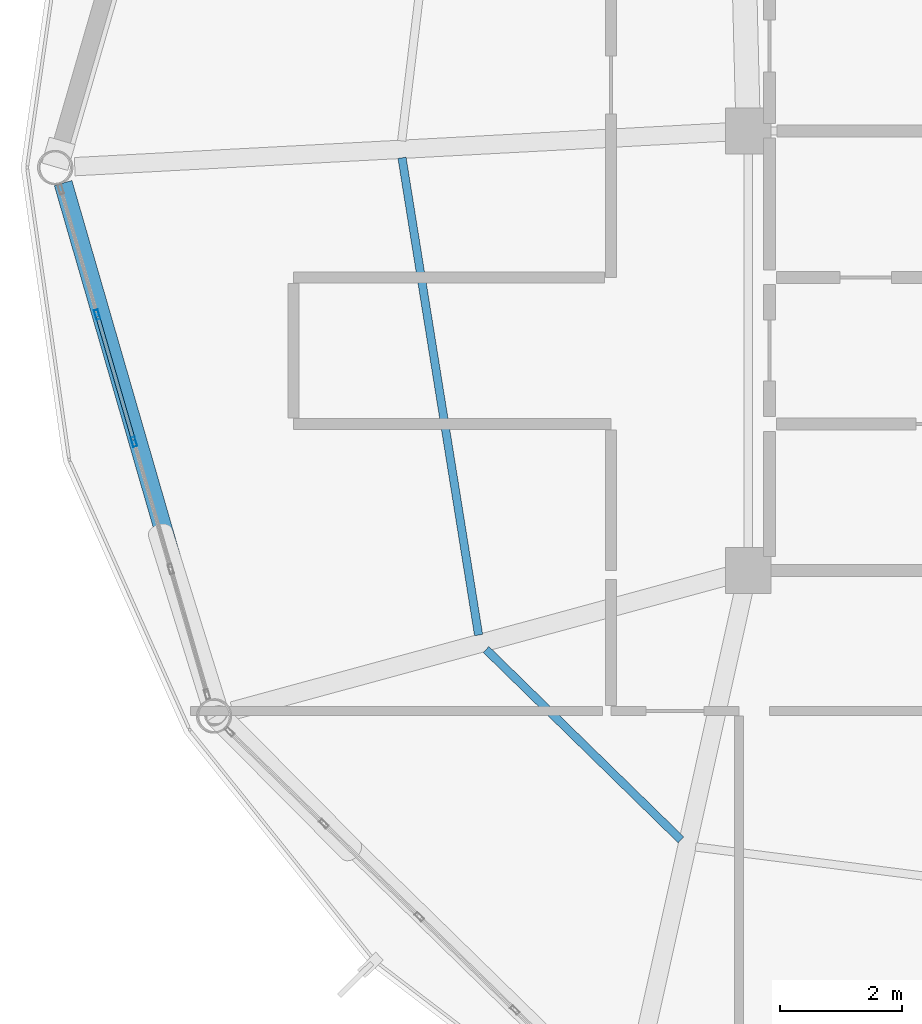
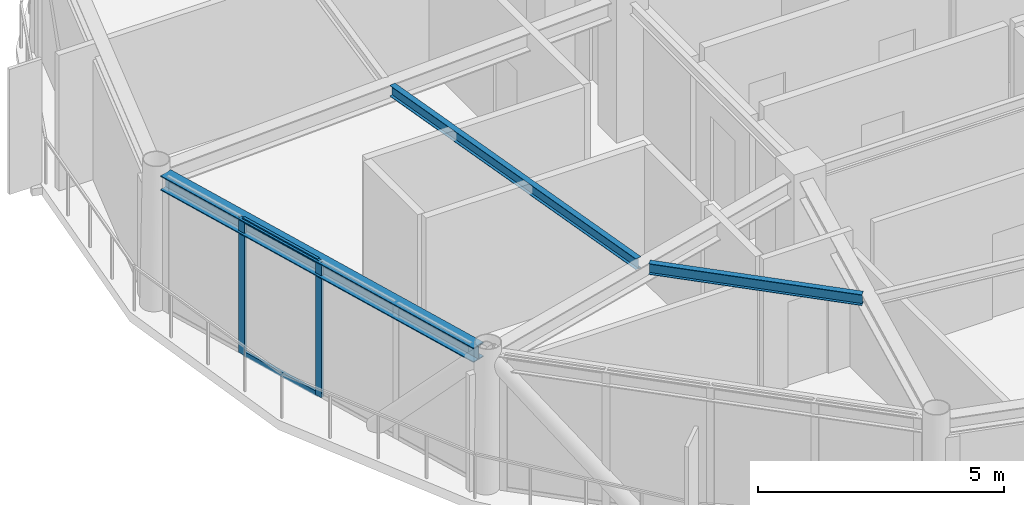
# One storey, part 5 of 27: 4 members, 3 beams, 1 element without a shape of its own.
"""IFC4 building model written with IfcOpenShell, lengths in metres."""

from ifc_helpers import new_model, si_unit, direction, frame, origin, origin_2d, place, context, subcontext, project, spatial, hollow_rectangle, i_section, extrude, material, layer, layer_set, material_profile, profile_set, type_object, element, aggregate, save


model = new_model("IFC4")

# Units and contexts
model_context = context("Model", 3, precision=1e-05, world=origin(), true_north=direction((0.0, 1.0)))
body_context = subcontext(model_context, "Body", "Model", "MODEL_VIEW")
ifc_project = project(units=[si_unit("LENGTHUNIT", "METRE"), si_unit("AREAUNIT", "SQUARE_METRE"), si_unit("VOLUMEUNIT", "CUBIC_METRE"), si_unit("PLANEANGLEUNIT", "RADIAN"), si_unit("MASSUNIT", "GRAM", prefix="KILO")], contexts=[model_context])

# Site, building, storey
site_placement = place(None, origin())
site = spatial("IfcSite", under=ifc_project, at=site_placement, CompositionType="ELEMENT")
building_placement = place(site_placement, origin())
building = spatial("IfcBuilding", under=site, at=building_placement, Name="Varnakorn Sky Granary", CompositionType="ELEMENT")
storey_placement = place(building_placement, frame((0.0, 0.0, 245.39990234375)))
storey = spatial("IfcBuildingStorey", under=building, at=storey_placement, Name="L62", CompositionType="ELEMENT", Elevation=245.39990234375)

# Beams
ifc_material_1 = material(Name="Steel S355JR", Category="steel")
ifc_material_profile_1 = material_profile(ifc_material_1, i_section(OverallWidth=0.135009765625, OverallDepth=0.27001953125, WebThickness=0.006591796875, FlangeThickness=0.01025390625, at=origin_2d()), Name="IPE 270")
ifc_profile_set_1 = profile_set([ifc_material_profile_1], Name="Steel S355JR")
beam_type_1 = type_object("IfcBeamType", Name="BM-SEC-Z5", PredefinedType="BEAM", material=ifc_profile_set_1)
beam_1_placement = place(storey_placement, frame((-8.0205078125, 0.159423828125, 3.22509765625), z_axis=(0.158460703845, -0.987365284652, 0.0), x_axis=(0.987365284652, 0.158460703845, 0.0)))
element("IfcBeam", 1, at=beam_1_placement, inside=storey, type_object=beam_type_1, Name="Secondary Floor Chord Beam MSB07 L62", PredefinedType="BEAM", context=body_context, shape_type="SweptSolid", body=[
    extrude(i_section(OverallWidth=0.135009765625, OverallDepth=0.27001953125, WebThickness=0.006591796875, FlangeThickness=0.01025390625, at=origin_2d()), origin(), (0.0, 0.0, 1.0), 7.917724609375),
])
beam_2_placement = place(storey_placement, frame((-6.6435546875, -7.894287109375, 3.22509765625), z_axis=(0.715343121809, -0.698773366751, 0.0), x_axis=(0.698773366751, 0.715343121809, 0.0)))
element("IfcBeam", 2, at=beam_2_placement, inside=storey, type_object=beam_type_1, Name="Secondary Floor Chord Beam MSB08 L62", PredefinedType="BEAM", context=body_context, shape_type="SweptSolid", body=[
    extrude(i_section(OverallWidth=0.135009765625, OverallDepth=0.27001953125, WebThickness=0.006591796875, FlangeThickness=0.01025390625, at=origin_2d()), origin(), (0.0, 0.0, 1.0), 4.46435546875),
])
ifc_material_profile_2 = material_profile(ifc_material_1, i_section(OverallWidth=0.300048828125, OverallDepth=0.360107421875, WebThickness=0.012451171875, FlangeThickness=0.0224609375, at=origin_2d()), Name="HE 360 B")
ifc_profile_set_2 = profile_set([ifc_material_profile_2], Name="Steel S355JR")
beam_type_2 = type_object("IfcBeamType", Name="BM-SPD-Z5", PredefinedType="SPANDREL", material=ifc_profile_set_2)
beam_3_placement = place(storey_placement, frame((-13.571533203125, -0.254150390625, 3.18017578125), z_axis=(0.277912020953, -0.96060653163, 0.0), x_axis=(0.96060653163, 0.277912020953, 0.0)))
element("IfcBeam", 3, at=beam_3_placement, inside=storey, type_object=beam_type_2, Name="Perimeter Spandrel Ring Beam RB07 L62", PredefinedType="SPANDREL", context=body_context, shape_type="SweptSolid", body=[
    extrude(i_section(OverallWidth=0.300048828125, OverallDepth=0.360107421875, WebThickness=0.012451171875, FlangeThickness=0.0224609375, at=origin_2d()), origin(), (0.0, 0.0, 1.0), 8.8076171875),
])

# Curtain wall, members
ifc_material_2 = material(Name="Anodised Bronze Aluminium Alloy 6063-T6", Category="aluminium")
ifc_layer = layer(ifc_material_2, 0.159912109375, Name="Anodised Bronze Aluminium Alloy 6063-T6")
ifc_layer_set = layer_set([ifc_layer], Name="Anodised Bronze Aluminium Alloy 6063-T6")
curtain_wall_type = type_object("IfcCurtainWallType", Name="CW-OFF-1", PredefinedType="USERDEFINED", material=ifc_layer_set)
curtain_wall_placement = place(storey_placement, origin())
curtain_wall = element("IfcCurtainWall", 4, at=curtain_wall_placement, inside=storey, type_object=curtain_wall_type, Name="Unitised Curtain Wall CW6 CW-L62-B07", ObjectType="CURTAIN WALL", PredefinedType="USERDEFINED")
ifc_material_profile_3 = material_profile(ifc_material_2, hollow_rectangle(XDim=0.06494140625, YDim=0.159912109375, WallThickness=0.00341796875, at=origin_2d()), Name="ALU MULL 65x160")
ifc_profile_set_3 = profile_set([ifc_material_profile_3], Name="Anodised Bronze Aluminium Alloy 6063-T6")
member_type_1 = type_object("IfcMemberType", Name="CW-OFF-1-MULL", PredefinedType="MULLION", material=ifc_profile_set_3)
member_1_placement = place(storey_placement, frame((-12.4111328125, -4.49267578125, 0.0), z_axis=(0.0, 0.0, 1.0), x_axis=(-0.960483292406, -0.278337645691, 0.0)))
member_1 = element("IfcMember", 5, at=member_1_placement, type_object=member_type_1, Name="CW6 mullion 3", PredefinedType="MULLION", context=body_context, shape_type="SweptSolid", body=[
    extrude(hollow_rectangle(XDim=0.06494140625, YDim=0.159912109375, WallThickness=0.00341796875, at=origin_2d()), origin(), (0.0, 0.0, 1.0), 3.360107421875),
])
member_2_placement = place(storey_placement, frame((-13.014892578125, -2.409423828125, 0.0), z_axis=(0.0, 0.0, 1.0), x_axis=(-0.960483292406, -0.278337645691, 0.0)))
member_2 = element("IfcMember", 6, at=member_2_placement, type_object=member_type_1, Name="CW6 mullion 4", PredefinedType="MULLION", context=body_context, shape_type="SweptSolid", body=[
    extrude(hollow_rectangle(XDim=0.06494140625, YDim=0.159912109375, WallThickness=0.00341796875, at=origin_2d()), origin(), (0.0, 0.0, 1.0), 3.360107421875),
])
ifc_material_profile_4 = material_profile(ifc_material_2, hollow_rectangle(XDim=0.06494140625, YDim=0.1201171875, WallThickness=0.00341796875, at=origin_2d()), Name="ALU TRAN 65x120")
ifc_profile_set_4 = profile_set([ifc_material_profile_4], Name="Anodised Bronze Aluminium Alloy 6063-T6")
member_type_2 = type_object("IfcMemberType", Name="CW-OFF-1-TRAN", PredefinedType="USERDEFINED", material=ifc_profile_set_4)
member_3_placement = place(storey_placement, frame((-12.420166015625, -4.46142578125, 0.03271484375), z_axis=(-0.278275032131, 0.960501434925, 0.0), x_axis=(-0.960501434925, -0.278275032131, 0.0)))
member_3 = element("IfcMember", 7, at=member_3_placement, type_object=member_type_2, Name="CW6 transom 3.1", ObjectType="TRANSOM", PredefinedType="USERDEFINED", context=body_context, shape_type="SweptSolid", body=[
    extrude(hollow_rectangle(XDim=0.06494140625, YDim=0.1201171875, WallThickness=0.00341796875, at=origin_2d()), origin(), (0.0, 0.0, 1.0), 2.103759765625),
])
member_4_placement = place(storey_placement, frame((-12.420166015625, -4.46142578125, 3.32763671875), z_axis=(-0.278275032131, 0.960501434925, 0.0), x_axis=(-0.960501434925, -0.278275032131, 0.0)))
member_4 = element("IfcMember", 8, at=member_4_placement, type_object=member_type_2, Name="CW6 transom 3.2", ObjectType="TRANSOM", PredefinedType="USERDEFINED", context=body_context, shape_type="SweptSolid", body=[
    extrude(hollow_rectangle(XDim=0.06494140625, YDim=0.1201171875, WallThickness=0.00341796875, at=origin_2d()), origin(), (0.0, 0.0, 1.0), 2.103759765625),
])
aggregate(curtain_wall, [member_1, member_2, member_3, member_4])

save(model, "model.ifc")
